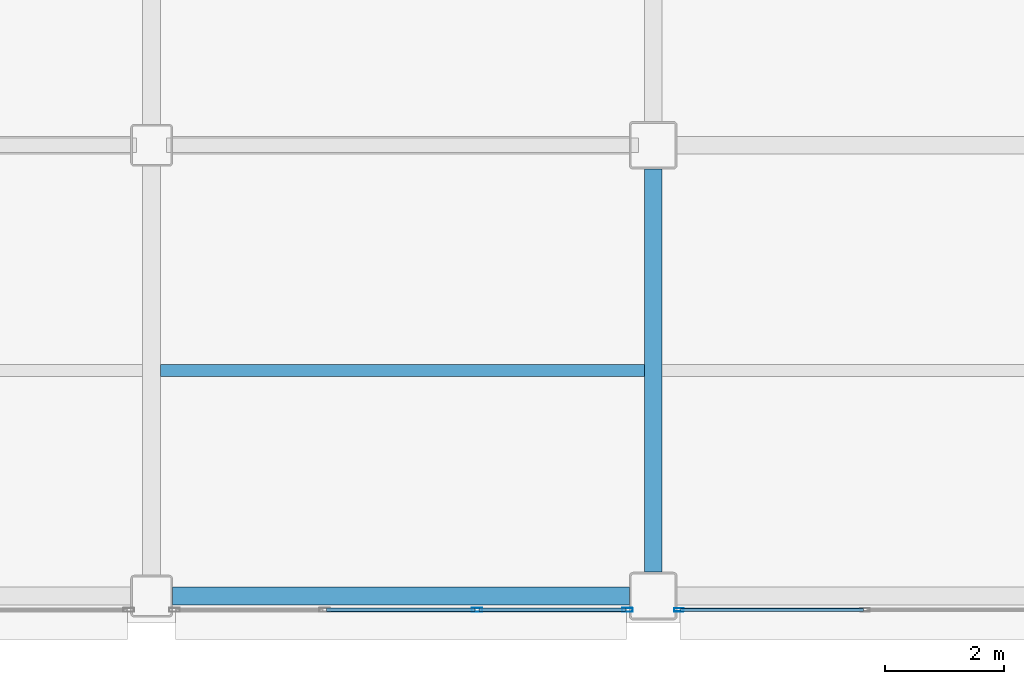
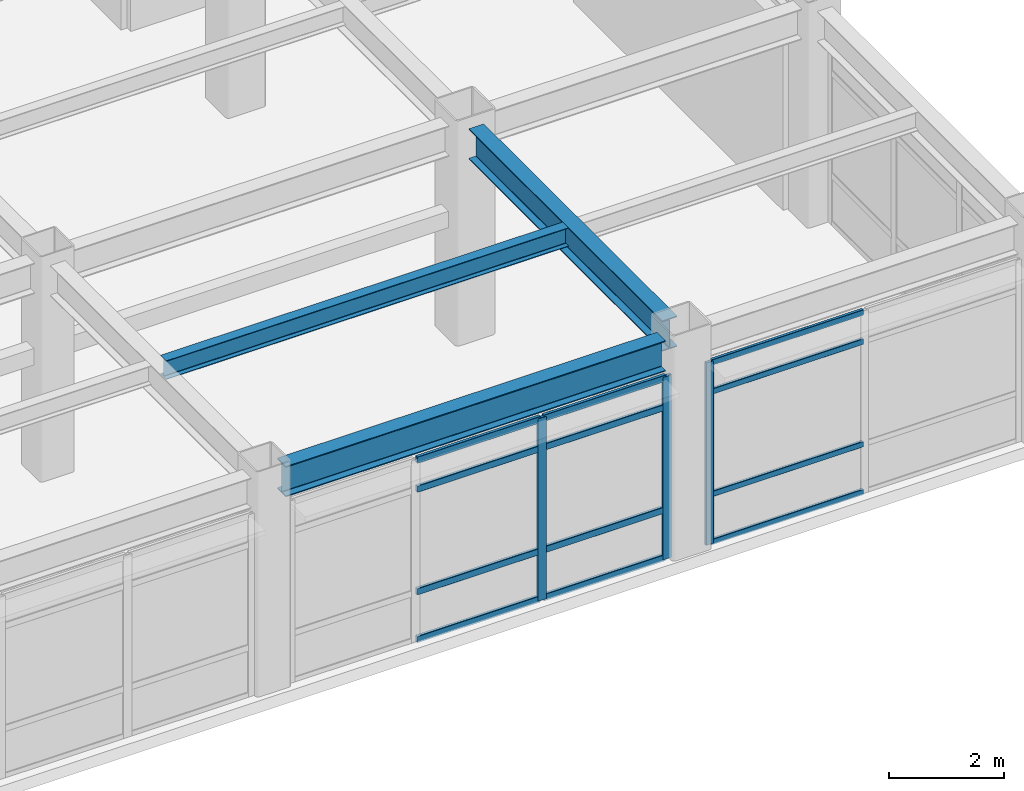
# One storey, part 82 of 154: 15 members, 3 beams, 2 elements without a shape of their own.
"""IFC4 building model written with IfcOpenShell, lengths in metres."""

import ifcopenshell
import ifcopenshell.guid

model = None  # the IFC model being written
_history = None  # IfcOwnerHistory: only IFC2X3 demands one
_inside = {}  # id of a spatial element -> (the spatial element, [elements in it])
_under = {}  # id of a project, library or spatial element -> (it, [spatial elements below it])
_declared = {}  # id of a project -> (the project, [libraries it declares])
_typed = {}  # id of a type object -> (the type object, [elements of that type])
_made_of = {}  # id of a material, layer set ... -> (it, [elements and type objects made of it])


def new_model(schema):
    """Start an empty IFC model of exactly this schema.

    Asked for "IFC4X3", IfcOpenShell would pick the latest addendum, in which some entities
    have other attributes; the version numbers below select the first issue.
    IFC2X3 requires an IfcOwnerHistory on every rooted entity: one is made here for all.
    """
    global model, _history
    if schema == "IFC4X3":
        model = ifcopenshell.file(schema_version=(4, 3, 0, 0))
    else:
        model = ifcopenshell.file(schema=schema)
    _inside.clear()
    _under.clear()
    _declared.clear()
    _typed.clear()
    _made_of.clear()
    _history = None
    if model.schema == "IFC2X3":
        org = make("IfcOrganization", Name="unknown")
        user = make(
            "IfcPersonAndOrganization",
            ThePerson=make("IfcPerson", FamilyName="unknown"),
            TheOrganization=org,
        )
        app = make(
            "IfcApplication",
            ApplicationDeveloper=org,
            Version="unknown",
            ApplicationFullName="unknown",
            ApplicationIdentifier="unknown",
        )
        _history = make(
            "IfcOwnerHistory",
            OwningUser=user,
            OwningApplication=app,
            ChangeAction="ADDED",
            CreationDate=0,
        )
    return model


def make(cls, **values):
    """One entity of the class cls with the attributes given. An attribute that is None is left unset."""
    return model.create_entity(
        cls, **{name: value for name, value in values.items() if value is not None}
    )


def rooted(cls, **values):
    """An entity with a GlobalId (a new one), such as an element, a storey or a relation."""
    return make(cls, GlobalId=ifcopenshell.guid.new(), OwnerHistory=_history, **values)


def si_unit(unit_type, name, prefix=None):
    """IfcSIUnit, for example si_unit("LENGTHUNIT", "METRE", prefix="MILLI")."""
    return make("IfcSIUnit", UnitType=unit_type, Prefix=prefix, Name=name)


def assignment(units):
    """IfcUnitAssignment: the units of a project."""
    return None if units is None else make("IfcUnitAssignment", Units=units)


def point(xyz):
    """IfcCartesianPoint."""
    return None if xyz is None else make("IfcCartesianPoint", Coordinates=xyz)


def direction(xyz):
    """IfcDirection."""
    return None if xyz is None else make("IfcDirection", DirectionRatios=xyz)


def frame(location, z_axis=None, x_axis=None):
    """IfcAxis2Placement3D, a coordinate frame: its origin and axes. An axis left out is left unset."""
    return make(
        "IfcAxis2Placement3D",
        Location=point(location),
        Axis=direction(z_axis),
        RefDirection=direction(x_axis),
    )


def frame_2d(location, x_axis=None):
    """IfcAxis2Placement2D, a coordinate frame in the plane: its origin and x axis."""
    return make(
        "IfcAxis2Placement2D", Location=point(location), RefDirection=direction(x_axis)
    )


def origin():
    """The frame at (0, 0, 0) with its axes left unset."""
    return frame((0.0, 0.0, 0.0))


def origin_2d():
    """The frame at (0, 0) in the plane with its x axis left unset."""
    return frame_2d((0.0, 0.0))


def place(relative_to, where):
    """IfcLocalPlacement: puts the frame where relative to a parent placement (None: the world)."""
    return make(
        "IfcLocalPlacement", PlacementRelTo=relative_to, RelativePlacement=where
    )


def context(
    kind, dimensions, precision=None, world=None, true_north=None, identifier=None
):
    """IfcGeometricRepresentationContext, for example the 3D "Model" context."""
    return make(
        "IfcGeometricRepresentationContext",
        ContextIdentifier=identifier,
        ContextType=kind,
        CoordinateSpaceDimension=dimensions,
        Precision=precision,
        WorldCoordinateSystem=world,
        TrueNorth=true_north,
    )


def subcontext(parent, identifier, kind, view, scale=None):
    """IfcGeometricRepresentationSubContext, for example "Body" below "Model"."""
    return make(
        "IfcGeometricRepresentationSubContext",
        ContextIdentifier=identifier,
        ContextType=kind,
        ParentContext=parent,
        TargetScale=scale,
        TargetView=view,
    )


def project(units=None, contexts=None):
    """IfcProject with its units and contexts."""
    return rooted(
        "IfcProject",
        Name="project",
        RepresentationContexts=contexts,
        UnitsInContext=assignment(units),
    )


def spatial(cls, under=None, at=None, **own):
    """A site, building, storey or space (cls), placed at a placement, below another one or the project."""
    s = rooted(cls, ObjectPlacement=at, **own)
    if under is not None:
        _under.setdefault(under.id(), (under, []))[1].append(s)
    return s


def profile(cls, at=None, kind="AREA", **sizes):
    """A parametric profile (cls). Its sizes go by their IFC names, for example OverallWidth=200.0."""
    return make(cls, ProfileType=kind, Position=at, **sizes)


def hollow_rectangle(**sizes):
    """IfcRectangleHollowProfileDef."""
    return profile("IfcRectangleHollowProfileDef", **sizes)


def i_section(**sizes):
    """IfcIShapeProfileDef."""
    return profile("IfcIShapeProfileDef", **sizes)


def extrude(swept, where, along, depth):
    """IfcExtrudedAreaSolid: the profile swept, set in the frame where, extruded along a direction by depth."""
    return make(
        "IfcExtrudedAreaSolid",
        SweptArea=swept,
        Position=where,
        ExtrudedDirection=direction(along),
        Depth=depth,
    )


def shape(context_of_items, identifier, shape_type, items):
    """IfcShapeRepresentation: the items that make up one representation, for example the "Body"."""
    return make(
        "IfcShapeRepresentation",
        ContextOfItems=context_of_items,
        RepresentationIdentifier=identifier,
        RepresentationType=shape_type,
        Items=items,
    )


def material(Name=None, Category=None):
    """IfcMaterial."""
    return make("IfcMaterial", Name=Name, Category=Category)


def layer(
    of_material, thickness, ventilated=None, Name=None, Category=None, Priority=None
):
    """IfcMaterialLayer: one layer of a wall or slab, of a material (None: an air gap)."""
    return make(
        "IfcMaterialLayer",
        Material=of_material,
        LayerThickness=thickness,
        IsVentilated=ventilated,
        Name=Name,
        Category=Category,
        Priority=Priority,
    )


def layer_set(layers, Name=None):
    """IfcMaterialLayerSet."""
    return make("IfcMaterialLayerSet", MaterialLayers=layers, LayerSetName=Name)


def material_profile(
    of_material, cross_section, Name=None, Category=None, Priority=None
):
    """IfcMaterialProfile: a cross section and its material."""
    return make(
        "IfcMaterialProfile",
        Name=Name,
        Material=of_material,
        Profile=cross_section,
        Priority=Priority,
        Category=Category,
    )


def profile_set(profiles, Name=None, composite=None):
    """IfcMaterialProfileSet."""
    return make(
        "IfcMaterialProfileSet",
        Name=Name,
        MaterialProfiles=profiles,
        CompositeProfile=composite,
    )


def made_of(thing, what):
    """Note that an element or type object is made of a material, layer set ...; save() writes the relation."""
    if what is not None:
        _made_of.setdefault(what.id(), (what, []))[1].append(thing)
    return thing


def type_object(cls, material=None, **own):
    """A type object (cls), such as IfcWallType, which elements share."""
    return made_of(rooted(cls, **own), material)


def element(
    cls,
    number,
    at=None,
    inside=None,
    cuts=None,
    type_object=None,
    material=None,
    context=None,
    identifier="Body",
    shape_type=None,
    held_by="IfcProductDefinitionShape",
    body=None,
    shapes=None,
    **own,
):
    """One element of the class cls, such as IfcWall. Its Tag is "e" and its number.

    at: its placement. inside: the storey or other place that contains it. cuts: it is an
    opening in that element (IfcRelVoidsElement). A single representation is given by context,
    identifier, shape_type and body (its items); several are given by shapes. held_by: the class
    of the entity that holds the representations. save() writes the other relations.
    """
    e = rooted(cls, Tag="e%d" % number, ObjectPlacement=at, **own)
    if body is not None:
        shapes = [shape(context, identifier, shape_type, body)]
    if shapes is not None:
        e.Representation = make(held_by, Representations=shapes)
    if inside is not None:
        _inside.setdefault(inside.id(), (inside, []))[1].append(e)
    if cuts is not None:
        rooted(
            "IfcRelVoidsElement", RelatingBuildingElement=cuts, RelatedOpeningElement=e
        )
    if type_object is not None:
        _typed.setdefault(type_object.id(), (type_object, []))[1].append(e)
    return made_of(e, material)


def aggregate(whole, parts):
    """IfcRelAggregates: a whole, such as a stair, and the parts it consists of."""
    return rooted("IfcRelAggregates", RelatingObject=whole, RelatedObjects=parts)


def save(model, path):
    """Write the relations noted so far, then the file.

    IfcRelAggregates (storeys below a building ...), IfcRelContainedInSpatialStructure (elements
    in a storey), IfcRelDefinesByType, IfcRelAssociatesMaterial and IfcRelDeclares: one each for
    every whole, place, type object, material and project.
    """
    for whole, parts in _under.values():
        aggregate(whole, parts)
    for where, things in _inside.values():
        rooted(
            "IfcRelContainedInSpatialStructure",
            RelatedElements=things,
            RelatingStructure=where,
        )
    for kind, things in _typed.values():
        rooted("IfcRelDefinesByType", RelatedObjects=things, RelatingType=kind)
    for what, things in _made_of.values():
        rooted("IfcRelAssociatesMaterial", RelatedObjects=things, RelatingMaterial=what)
    for by, libraries in _declared.values():
        rooted("IfcRelDeclares", RelatingContext=by, RelatedDefinitions=libraries)
    model.write(path)


model = new_model("IFC4")

# Units and contexts
model_context = context("Model", 3, precision=1e-05, world=origin(), true_north=direction((0.0, 1.0)))
body_context = subcontext(model_context, "Body", "Model", "MODEL_VIEW")
ifc_project = project(units=[si_unit("LENGTHUNIT", "METRE"), si_unit("AREAUNIT", "SQUARE_METRE"), si_unit("VOLUMEUNIT", "CUBIC_METRE"), si_unit("PLANEANGLEUNIT", "RADIAN"), si_unit("MASSUNIT", "GRAM", prefix="KILO")], contexts=[model_context])

# Site, building, storey
site_placement = place(None, origin())
site = spatial("IfcSite", under=ifc_project, at=site_placement, CompositionType="ELEMENT")
building_placement = place(site_placement, origin())
building = spatial("IfcBuilding", under=site, at=building_placement, Name="Kazehara Bluff Congress Hotel", CompositionType="ELEMENT")
storey_placement = place(building_placement, frame((0.0, 0.0, 10.199951171875)))
storey = spatial("IfcBuildingStorey", under=building, at=storey_placement, Name="L02", CompositionType="ELEMENT", Elevation=10.199951171875)

# Curtain wall, member
ifc_material_1 = material(Name="Anodised aluminium", Category="aluminium")
ifc_layer_1 = layer(ifc_material_1, 0.159912109375)
ifc_layer_set_1 = layer_set([ifc_layer_1], Name="Anodised aluminium")
curtain_wall_type_1 = type_object("IfcCurtainWallType", Name="TP-CW-112", PredefinedType="NOTDEFINED", material=ifc_layer_set_1)
curtain_wall_1_placement = place(storey_placement, origin())
curtain_wall_1 = element("IfcCurtainWall", 1, at=curtain_wall_1_placement, inside=storey, type_object=curtain_wall_type_1, Name="L02 curtain wall CW-112 CW-ENC-V5-L02-16405-22", PredefinedType="NOTDEFINED")
ifc_material_2 = material(Name="Anodised aluminium", Category="aluminium")
ifc_material_profile_1 = material_profile(ifc_material_2, hollow_rectangle(XDim=0.06005859375, YDim=0.159912109375, WallThickness=0.00390625, InnerFilletRadius=0.00390625, OuterFilletRadius=0.008056640625, at=origin_2d()))
ifc_profile_set_1 = profile_set([ifc_material_profile_1], Name="Anodised aluminium")
member_type_1 = type_object("IfcMemberType", Name="TP-CWM-01", PredefinedType="MULLION", material=ifc_profile_set_1)
member_1_placement = place(storey_placement, frame((160.929931640625, 0.219970703125, 0.0), z_axis=(0.0, 0.0, 1.0), x_axis=(0.0, -1.0, 0.0)))
member_1 = element("IfcMember", 2, at=member_1_placement, type_object=member_type_1, Name="CW-112 mullion 3", PredefinedType="MULLION", context=body_context, shape_type="SweptSolid", body=[
    extrude(hollow_rectangle(XDim=0.06005859375, YDim=0.159912109375, WallThickness=0.00390625, InnerFilletRadius=0.00390625, OuterFilletRadius=0.008056640625, at=origin_2d()), origin(), (0.0, 0.0, 1.0), 3.885009765625),
])

# Curtain wall, members
ifc_material_3 = material(Name="Anodised aluminium", Category="aluminium")
ifc_layer_2 = layer(ifc_material_3, 0.159912109375)
ifc_layer_set_2 = layer_set([ifc_layer_2], Name="Anodised aluminium")
curtain_wall_type_2 = type_object("IfcCurtainWallType", Name="TP-CW-22", PredefinedType="NOTDEFINED", material=ifc_layer_set_2)
curtain_wall_2_placement = place(storey_placement, origin())
curtain_wall_2 = element("IfcCurtainWall", 3, at=curtain_wall_2_placement, inside=storey, type_object=curtain_wall_type_2, Name="L02 curtain wall CW-22 CW-ENC-V5-L02-15627-22", PredefinedType="NOTDEFINED")
ifc_material_4 = material(Name="Anodised aluminium", Category="aluminium")
ifc_material_profile_2 = material_profile(ifc_material_4, hollow_rectangle(XDim=0.06494140625, YDim=0.179931640625, WallThickness=0.00390625, InnerFilletRadius=0.00390625, OuterFilletRadius=0.008056640625, at=origin_2d()))
ifc_profile_set_2 = profile_set([ifc_material_profile_2], Name="Anodised aluminium")
member_type_2 = type_object("IfcMemberType", Name="TP-CWM-02", PredefinedType="MULLION", material=ifc_profile_set_2)
member_2_placement = place(storey_placement, frame((160.0673828125, 0.219970703125, 0.0), z_axis=(0.0, 0.0, 1.0), x_axis=(0.0, -1.0, 0.0)))
member_2 = element("IfcMember", 4, at=member_2_placement, type_object=member_type_2, Name="CW-22 mullion 1", PredefinedType="MULLION", context=body_context, shape_type="SweptSolid", body=[
    extrude(hollow_rectangle(XDim=0.06494140625, YDim=0.179931640625, WallThickness=0.00390625, InnerFilletRadius=0.00390625, OuterFilletRadius=0.008056640625, at=origin_2d()), origin(), (0.0, 0.0, 1.0), 3.885009765625),
])
member_3_placement = place(storey_placement, frame((157.550048828125, 0.219970703125, 0.0), z_axis=(0.0, 0.0, 1.0), x_axis=(0.0, -1.0, 0.0)))
member_3 = element("IfcMember", 5, at=member_3_placement, type_object=member_type_2, Name="CW-22 mullion 2", PredefinedType="MULLION", context=body_context, shape_type="SweptSolid", body=[
    extrude(hollow_rectangle(XDim=0.06494140625, YDim=0.179931640625, WallThickness=0.00390625, InnerFilletRadius=0.00390625, OuterFilletRadius=0.008056640625, at=origin_2d()), origin(), (0.0, 0.0, 1.0), 3.885009765625),
])

# Member
ifc_material_5 = material(Name="Anodised aluminium", Category="aluminium")
ifc_material_profile_3 = material_profile(ifc_material_5, hollow_rectangle(XDim=0.06005859375, YDim=0.1201171875, WallThickness=0.00390625, InnerFilletRadius=0.00390625, OuterFilletRadius=0.008056640625, at=origin_2d()))
ifc_profile_set_3 = profile_set([ifc_material_profile_3], Name="Anodised aluminium")
member_type_3 = type_object("IfcMemberType", Name="TP-CWT-01", PredefinedType="USERDEFINED", material=ifc_profile_set_3)
member_4_placement = place(storey_placement, frame((164.02001953125, 0.219970703125, 0.030029296875), z_axis=(-1.0, 0.0, 0.0), x_axis=(0.0, -1.0, 0.0)))
member_4 = element("IfcMember", 6, at=member_4_placement, type_object=member_type_3, Name="CW-112 transom 2.1", ObjectType="TRANSOM", PredefinedType="USERDEFINED", context=body_context, shape_type="SweptSolid", body=[
    extrude(hollow_rectangle(XDim=0.06005859375, YDim=0.1201171875, WallThickness=0.00390625, InnerFilletRadius=0.00390625, OuterFilletRadius=0.008056640625, at=origin_2d()), origin(), (0.0, 0.0, 1.0), 3.06005859375),
])

member_5_placement = place(storey_placement, frame((164.02001953125, 0.219970703125, 1.050048828125), z_axis=(-1.0, 0.0, 0.0), x_axis=(0.0, -1.0, 0.0)))
member_5 = element("IfcMember", 7, at=member_5_placement, type_object=member_type_3, Name="CW-112 transom 2.2", ObjectType="TRANSOM", PredefinedType="USERDEFINED", context=body_context, shape_type="SweptSolid", body=[
    extrude(hollow_rectangle(XDim=0.06005859375, YDim=0.1201171875, WallThickness=0.00390625, InnerFilletRadius=0.00390625, OuterFilletRadius=0.008056640625, at=origin_2d()), origin(), (0.0, 0.0, 1.0), 3.06005859375),
])

member_6_placement = place(storey_placement, frame((164.02001953125, 0.219970703125, 3.235107421875), z_axis=(-1.0, 0.0, 0.0), x_axis=(0.0, -1.0, 0.0)))
member_6 = element("IfcMember", 8, at=member_6_placement, type_object=member_type_3, Name="CW-112 transom 2.3", ObjectType="TRANSOM", PredefinedType="USERDEFINED", context=body_context, shape_type="SweptSolid", body=[
    extrude(hollow_rectangle(XDim=0.06005859375, YDim=0.1201171875, WallThickness=0.00390625, InnerFilletRadius=0.00390625, OuterFilletRadius=0.008056640625, at=origin_2d()), origin(), (0.0, 0.0, 1.0), 3.06005859375),
])

member_7_placement = place(storey_placement, frame((164.02001953125, 0.219970703125, 3.85498046875), z_axis=(-1.0, 0.0, 0.0), x_axis=(0.0, -1.0, 0.0)))
member_7 = element("IfcMember", 9, at=member_7_placement, type_object=member_type_3, Name="CW-112 transom 2.4", ObjectType="TRANSOM", PredefinedType="USERDEFINED", context=body_context, shape_type="SweptSolid", body=[
    extrude(hollow_rectangle(XDim=0.06005859375, YDim=0.1201171875, WallThickness=0.00390625, InnerFilletRadius=0.00390625, OuterFilletRadius=0.008056640625, at=origin_2d()), origin(), (0.0, 0.0, 1.0), 3.06005859375),
])

aggregate(curtain_wall_1, [member_1, member_4, member_5, member_6, member_7])

ifc_material_6 = material(Name="Anodised aluminium", Category="aluminium")
ifc_material_profile_4 = material_profile(ifc_material_6, hollow_rectangle(XDim=0.06494140625, YDim=0.139892578125, WallThickness=0.00390625, InnerFilletRadius=0.00390625, OuterFilletRadius=0.008056640625, at=origin_2d()))
ifc_profile_set_4 = profile_set([ifc_material_profile_4], Name="Anodised aluminium")
member_type_4 = type_object("IfcMemberType", Name="TP-CWT-02", PredefinedType="USERDEFINED", material=ifc_profile_set_4)
member_8_placement = place(storey_placement, frame((160.034912109375, 0.219970703125, 0.032470703125), z_axis=(-1.0, 0.0, 0.0), x_axis=(0.0, -1.0, 0.0)))
member_8 = element("IfcMember", 10, at=member_8_placement, type_object=member_type_4, Name="CW-22 transom 1.1", ObjectType="TRANSOM", PredefinedType="USERDEFINED", context=body_context, shape_type="SweptSolid", body=[
    extrude(hollow_rectangle(XDim=0.06494140625, YDim=0.139892578125, WallThickness=0.00390625, InnerFilletRadius=0.00390625, OuterFilletRadius=0.008056640625, at=origin_2d()), origin(), (0.0, 0.0, 1.0), 2.452392578125),
])

member_9_placement = place(storey_placement, frame((160.034912109375, 0.219970703125, 1.050048828125), z_axis=(-1.0, 0.0, 0.0), x_axis=(0.0, -1.0, 0.0)))
member_9 = element("IfcMember", 11, at=member_9_placement, type_object=member_type_4, Name="CW-22 transom 1.2", ObjectType="TRANSOM", PredefinedType="USERDEFINED", context=body_context, shape_type="SweptSolid", body=[
    extrude(hollow_rectangle(XDim=0.06494140625, YDim=0.139892578125, WallThickness=0.00390625, InnerFilletRadius=0.00390625, OuterFilletRadius=0.008056640625, at=origin_2d()), origin(), (0.0, 0.0, 1.0), 2.452392578125),
])

member_10_placement = place(storey_placement, frame((160.034912109375, 0.219970703125, 3.235107421875), z_axis=(-1.0, 0.0, 0.0), x_axis=(0.0, -1.0, 0.0)))
member_10 = element("IfcMember", 12, at=member_10_placement, type_object=member_type_4, Name="CW-22 transom 1.3", ObjectType="TRANSOM", PredefinedType="USERDEFINED", context=body_context, shape_type="SweptSolid", body=[
    extrude(hollow_rectangle(XDim=0.06494140625, YDim=0.139892578125, WallThickness=0.00390625, InnerFilletRadius=0.00390625, OuterFilletRadius=0.008056640625, at=origin_2d()), origin(), (0.0, 0.0, 1.0), 2.452392578125),
])

member_11_placement = place(storey_placement, frame((160.034912109375, 0.219970703125, 3.8525390625), z_axis=(-1.0, 0.0, 0.0), x_axis=(0.0, -1.0, 0.0)))
member_11 = element("IfcMember", 13, at=member_11_placement, type_object=member_type_4, Name="CW-22 transom 1.4", ObjectType="TRANSOM", PredefinedType="USERDEFINED", context=body_context, shape_type="SweptSolid", body=[
    extrude(hollow_rectangle(XDim=0.06494140625, YDim=0.139892578125, WallThickness=0.00390625, InnerFilletRadius=0.00390625, OuterFilletRadius=0.008056640625, at=origin_2d()), origin(), (0.0, 0.0, 1.0), 2.452392578125),
])

member_12_placement = place(storey_placement, frame((157.517578125, 0.219970703125, 0.032470703125), z_axis=(-1.0, 0.0, 0.0), x_axis=(0.0, -1.0, 0.0)))
member_12 = element("IfcMember", 14, at=member_12_placement, type_object=member_type_4, Name="CW-22 transom 2.1", ObjectType="TRANSOM", PredefinedType="USERDEFINED", context=body_context, shape_type="SweptSolid", body=[
    extrude(hollow_rectangle(XDim=0.06494140625, YDim=0.139892578125, WallThickness=0.00390625, InnerFilletRadius=0.00390625, OuterFilletRadius=0.008056640625, at=origin_2d()), origin(), (0.0, 0.0, 1.0), 2.485107421875),
])

member_13_placement = place(storey_placement, frame((157.517578125, 0.219970703125, 1.050048828125), z_axis=(-1.0, 0.0, 0.0), x_axis=(0.0, -1.0, 0.0)))
member_13 = element("IfcMember", 15, at=member_13_placement, type_object=member_type_4, Name="CW-22 transom 2.2", ObjectType="TRANSOM", PredefinedType="USERDEFINED", context=body_context, shape_type="SweptSolid", body=[
    extrude(hollow_rectangle(XDim=0.06494140625, YDim=0.139892578125, WallThickness=0.00390625, InnerFilletRadius=0.00390625, OuterFilletRadius=0.008056640625, at=origin_2d()), origin(), (0.0, 0.0, 1.0), 2.485107421875),
])

member_14_placement = place(storey_placement, frame((157.517578125, 0.219970703125, 3.235107421875), z_axis=(-1.0, 0.0, 0.0), x_axis=(0.0, -1.0, 0.0)))
member_14 = element("IfcMember", 16, at=member_14_placement, type_object=member_type_4, Name="CW-22 transom 2.3", ObjectType="TRANSOM", PredefinedType="USERDEFINED", context=body_context, shape_type="SweptSolid", body=[
    extrude(hollow_rectangle(XDim=0.06494140625, YDim=0.139892578125, WallThickness=0.00390625, InnerFilletRadius=0.00390625, OuterFilletRadius=0.008056640625, at=origin_2d()), origin(), (0.0, 0.0, 1.0), 2.485107421875),
])

member_15_placement = place(storey_placement, frame((157.517578125, 0.219970703125, 3.8525390625), z_axis=(-1.0, 0.0, 0.0), x_axis=(0.0, -1.0, 0.0)))
member_15 = element("IfcMember", 17, at=member_15_placement, type_object=member_type_4, Name="CW-22 transom 2.4", ObjectType="TRANSOM", PredefinedType="USERDEFINED", context=body_context, shape_type="SweptSolid", body=[
    extrude(hollow_rectangle(XDim=0.06494140625, YDim=0.139892578125, WallThickness=0.00390625, InnerFilletRadius=0.00390625, OuterFilletRadius=0.008056640625, at=origin_2d()), origin(), (0.0, 0.0, 1.0), 2.485107421875),
])

aggregate(curtain_wall_2, [member_2, member_3, member_8, member_9, member_10, member_11, member_12, member_13, member_14, member_15])

# Beams
ifc_material_7 = material(Name="Steel SN490B", Category="steel")
ifc_material_profile_5 = material_profile(ifc_material_7, i_section(OverallWidth=0.300048828125, OverallDepth=0.64990234375, WebThickness=0.011962890625, FlangeThickness=0.02001953125, FilletRadius=0.012939453125, at=origin_2d()))
ifc_profile_set_5 = profile_set([ifc_material_profile_5], Name="Steel SN490B")
beam_type_1 = type_object("IfcBeamType", Name="TP-G-03", PredefinedType="BEAM", material=ifc_profile_set_5)
beam_1_placement = place(storey_placement, frame((160.5, 0.85009765625, 4.235107421875), z_axis=(0.0, 1.0, 0.0), x_axis=(-1.0, 0.0, 0.0)))
element("IfcBeam", 18, at=beam_1_placement, inside=storey, type_object=beam_type_1, Name="L02 girder G-03 158", PredefinedType="BEAM", context=body_context, shape_type="SweptSolid", body=[
    extrude(i_section(OverallWidth=0.300048828125, OverallDepth=0.64990234375, WebThickness=0.011962890625, FlangeThickness=0.02001953125, FilletRadius=0.012939453125, at=origin_2d()), origin(), (0.0, 0.0, 1.0), 6.75),
])
beam_2_placement = place(storey_placement, frame((152.449951171875, 0.449951171875, 4.235107421875), z_axis=(1.0, 0.0, 0.0), x_axis=(0.0, 1.0, 0.0)))
element("IfcBeam", 19, at=beam_2_placement, inside=storey, type_object=beam_type_1, Name="L02 girder G-03 181", PredefinedType="BEAM", context=body_context, shape_type="SweptSolid", body=[
    extrude(i_section(OverallWidth=0.300048828125, OverallDepth=0.64990234375, WebThickness=0.011962890625, FlangeThickness=0.02001953125, FilletRadius=0.012939453125, at=origin_2d()), origin(), (0.0, 0.0, 1.0), 7.650146484375),
])
ifc_material_8 = material(Name="Steel SN400B", Category="steel")
ifc_material_profile_6 = material_profile(ifc_material_8, i_section(OverallWidth=0.199951171875, OverallDepth=0.39990234375, WebThickness=0.008056640625, FlangeThickness=0.012939453125, FilletRadius=0.012939453125, at=origin_2d()))
ifc_profile_set_6 = profile_set([ifc_material_profile_6], Name="Steel SN400B")
beam_type_2 = type_object("IfcBeamType", Name="TP-J-03", PredefinedType="JOIST", material=ifc_profile_set_6)
beam_3_placement = place(storey_placement, frame((152.25, 4.22509765625, 4.360107421875), z_axis=(1.0, 0.0, 0.0), x_axis=(0.0, 1.0, 0.0)))
element("IfcBeam", 20, at=beam_3_placement, inside=storey, type_object=beam_type_2, Name="L02 secondary joist J-03 39", PredefinedType="JOIST", context=body_context, shape_type="SweptSolid", body=[
    extrude(i_section(OverallWidth=0.199951171875, OverallDepth=0.39990234375, WebThickness=0.008056640625, FlangeThickness=0.012939453125, FilletRadius=0.012939453125, at=origin_2d()), origin(), (0.0, 0.0, 1.0), 8.10009765625),
])

save(model, "model.ifc")
